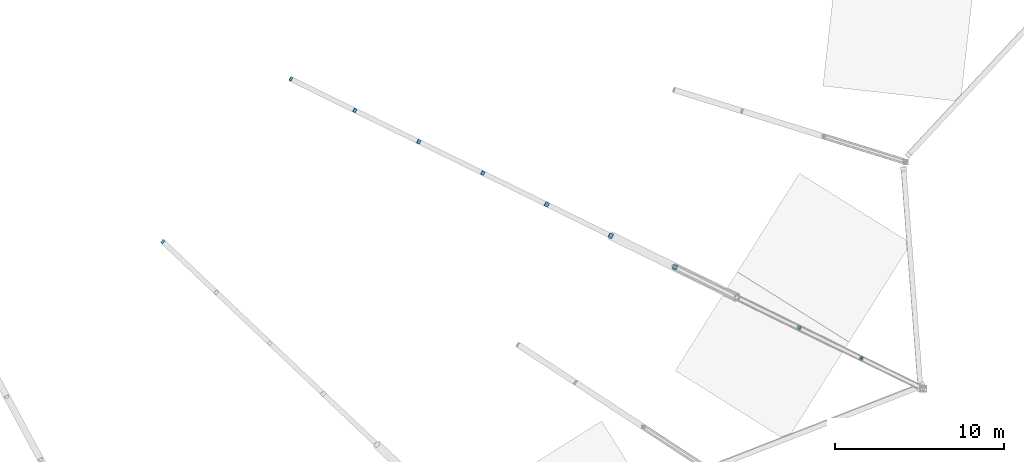
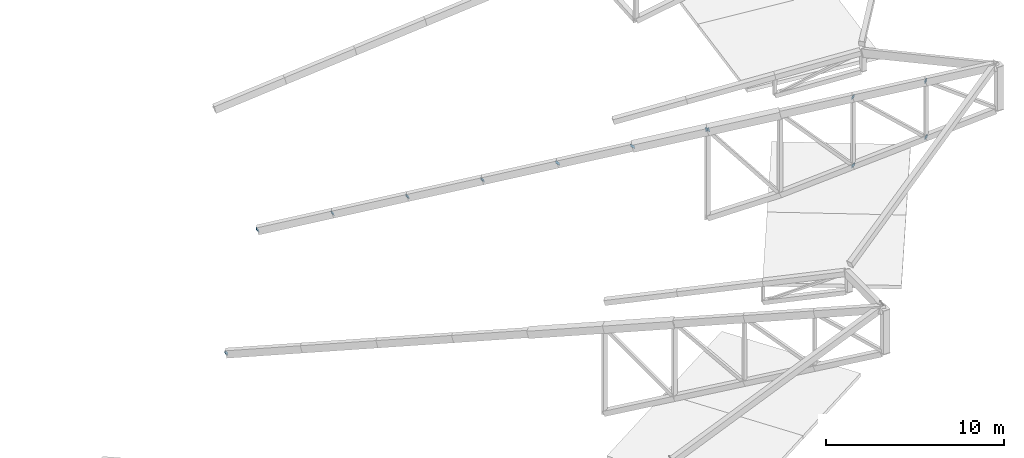
# One storey, part 144 of 188: 13 discrete accessories.
"""IFC4 building model written with IfcOpenShell, lengths in metres."""

from ifc_helpers import new_model, si_unit, direction, frame, origin, origin_2d, place, context, subcontext, project, spatial, rectangle, extrude, material, material_profile, profile_set, type_object, element, save


model = new_model("IFC4")

# Units and contexts
model_context = context("Model", 3, precision=1e-05, world=origin(), true_north=direction((0.0, 1.0)))
body_context = subcontext(model_context, "Body", "Model", "MODEL_VIEW")
ifc_project = project(units=[si_unit("LENGTHUNIT", "METRE"), si_unit("AREAUNIT", "SQUARE_METRE"), si_unit("VOLUMEUNIT", "CUBIC_METRE"), si_unit("PLANEANGLEUNIT", "RADIAN"), si_unit("MASSUNIT", "GRAM", prefix="KILO")], contexts=[model_context])

# Site, building, storey
site_placement = place(None, origin())
site = spatial("IfcSite", under=ifc_project, at=site_placement, CompositionType="ELEMENT")
building_placement = place(site_placement, origin())
building = spatial("IfcBuilding", under=site, at=building_placement, Name="Meseta Stadium", CompositionType="ELEMENT")
storey_placement = place(building_placement, frame((0.0, 0.0, 30.0)))
storey = spatial("IfcBuildingStorey", under=building, at=storey_placement, Name="ROOF", CompositionType="ELEMENT", Elevation=30.0)

# Discrete accessories
ifc_material_1 = material(Name="Steel S355", Category="steel")
ifc_material_profile_1 = material_profile(ifc_material_1, rectangle(XDim=0.219970703125, YDim=0.219970703125, at=origin_2d()), Name="PL 220x220")
ifc_profile_set_1 = profile_set([ifc_material_profile_1], Name="Steel S355")
discrete_accessory_type_1 = type_object("IfcDiscreteAccessoryType", Name="End plate 220x220x20", PredefinedType="ANCHORPLATE", material=ifc_profile_set_1)
for number, where, z_axis, x_axis, name in (
    (1, (47.903076171875, -70.75927734375, 1.152099609375), (0.563284074751, -0.526548156832, 0.636755910588), (0.682883878065, 0.730526939325, 0.0), "End plate of ROOF TRUSS RT-52 diagonal"),
    (2, (55.471435546875, -61.14453125, 1.10791015625), (0.694450959018, -0.34113380443, 0.633534208227), (0.440903879653, 0.897554326437, 0.0), "End plate of ROOF TRUSS RT-54 diagonal"),
):
    element("IfcDiscreteAccessory", number, at=place(storey_placement, frame(where, z_axis=z_axis, x_axis=x_axis)), inside=storey, type_object=discrete_accessory_type_1, Name=name, PredefinedType="ANCHORPLATE", context=body_context, shape_type="SweptSolid", body=[
        extrude(rectangle(XDim=0.219970703125, YDim=0.219970703125, at=origin_2d()), origin(), (0.0, 0.0, 1.0), 0.02001953125),
    ])
ifc_material_2 = material(Name="Steel S355", Category="steel")
ifc_material_profile_2 = material_profile(ifc_material_2, rectangle(XDim=0.239990234375, YDim=0.239990234375, at=origin_2d()), Name="PL 240x240")
ifc_profile_set_2 = profile_set([ifc_material_profile_2], Name="Steel S355")
discrete_accessory_type_2 = type_object("IfcDiscreteAccessoryType", Name="End plate 240x240x20", PredefinedType="ANCHORPLATE", material=ifc_profile_set_2)
for number, where, z_axis, x_axis, name in (
    (3, (59.259033203125, -62.999267578125, 2.051025390625), (0.658340796277, -0.316978901911, 0.682723788732), (0.433815618773, 0.901001669759, 0.0), "End plate of ROOF TRUSS RT-54 diagonal"),
    (4, (63.046875, -64.853759765625, 2.994140625), (0.61194422456, -0.293733227789, 0.734333069472), (0.432731067585, 0.901523057468, 0.0), "End plate of ROOF TRUSS RT-54 diagonal"),
    (5, (66.834716796875, -66.708251953125, 3.937255859375), (0.573896669971, -0.280843051262, 0.76926574911), (0.439552863981, 0.898216722048, 0.0), "End plate of ROOF TRUSS RT-54 diagonal"),
    (6, (78.18603515625, -72.26611328125, 6.781494140625), (0.598719645157, -0.293250438444, -0.745344864379), (0.43986744881, 0.898062707987, 0.0), "End plate of ROOF TRUSS RT-54 diagonal"),
    (7, (85.55322265625, -75.873291015625, 3.93505859375), (0.661196951971, -0.330598475985, -0.67344133997), (0.4472135955, 0.894427191, 0.0), "End plate of ROOF TRUSS RT-54 diagonal"),
    (8, (85.53857421875, -75.8662109375, 8.609619140625), (0.735767207382, -0.355620816901, -0.576350979116), (0.43516866054, 0.900348952842, 0.0), "End plate of ROOF TRUSS RT-54 diagonal"),
    (9, (89.23095703125, -77.673828125, 5.682373046875), (0.727392967453, -0.363696483727, -0.581914373963), (0.4472135955, 0.894427191, 0.0), "End plate of ROOF TRUSS RT-54 diagonal"),
    (10, (89.21484375, -77.666015625, 9.52294921875), (0.803385929947, -0.389520450884, -0.450383021334), (0.436273506519, 0.899814107196, 0.0), "End plate of ROOF TRUSS RT-54 diagonal"),
):
    element("IfcDiscreteAccessory", number, at=place(storey_placement, frame(where, z_axis=z_axis, x_axis=x_axis)), inside=storey, type_object=discrete_accessory_type_2, Name=name, PredefinedType="ANCHORPLATE", context=body_context, shape_type="SweptSolid", body=[
        extrude(rectangle(XDim=0.239990234375, YDim=0.239990234375, at=origin_2d()), origin(), (0.0, 0.0, 1.0), 0.02001953125),
    ])
ifc_material_3 = material(Name="Steel S355", Category="steel")
ifc_material_profile_3 = material_profile(ifc_material_3, rectangle(XDim=0.2900390625, YDim=0.2900390625, at=origin_2d()), Name="PL 290x290")
ifc_profile_set_3 = profile_set([ifc_material_profile_3], Name="Steel S355")
discrete_accessory_type_3 = type_object("IfcDiscreteAccessoryType", Name="End plate 290x290x20", PredefinedType="ANCHORPLATE", material=ifc_profile_set_3)
for number, where, z_axis, x_axis, name in (
    (11, (70.622314453125, -68.562744140625, 4.88037109375), (0.534522483825, -0.267261241912, 0.801783725737), (0.4472135955, 0.894427191, 0.0), "End plate of ROOF TRUSS RT-54 diagonal"),
    (12, (74.41015625, -70.41748046875, 5.823486328125), (0.500707925389, -0.244247768482, 0.83044241284), (0.438423632021, 0.898768445644, 0.0), "End plate of ROOF TRUSS RT-54 diagonal"),
    (13, (78.197998046875, -72.27197265625, 6.7666015625), (0.478500593525, -0.233115673769, 0.84657797316), (0.43796942328, 0.898989868837, 0.0), "End plate of ROOF TRUSS RT-54 diagonal"),
):
    element("IfcDiscreteAccessory", number, at=place(storey_placement, frame(where, z_axis=z_axis, x_axis=x_axis)), inside=storey, type_object=discrete_accessory_type_3, Name=name, PredefinedType="ANCHORPLATE", context=body_context, shape_type="SweptSolid", body=[
        extrude(rectangle(XDim=0.2900390625, YDim=0.2900390625, at=origin_2d()), origin(), (0.0, 0.0, 1.0), 0.02001953125),
    ])

save(model, "model.ifc")
